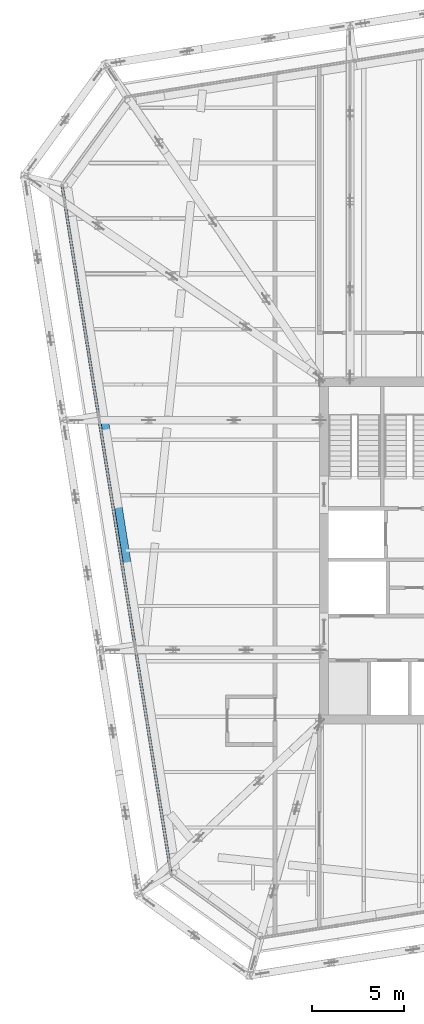
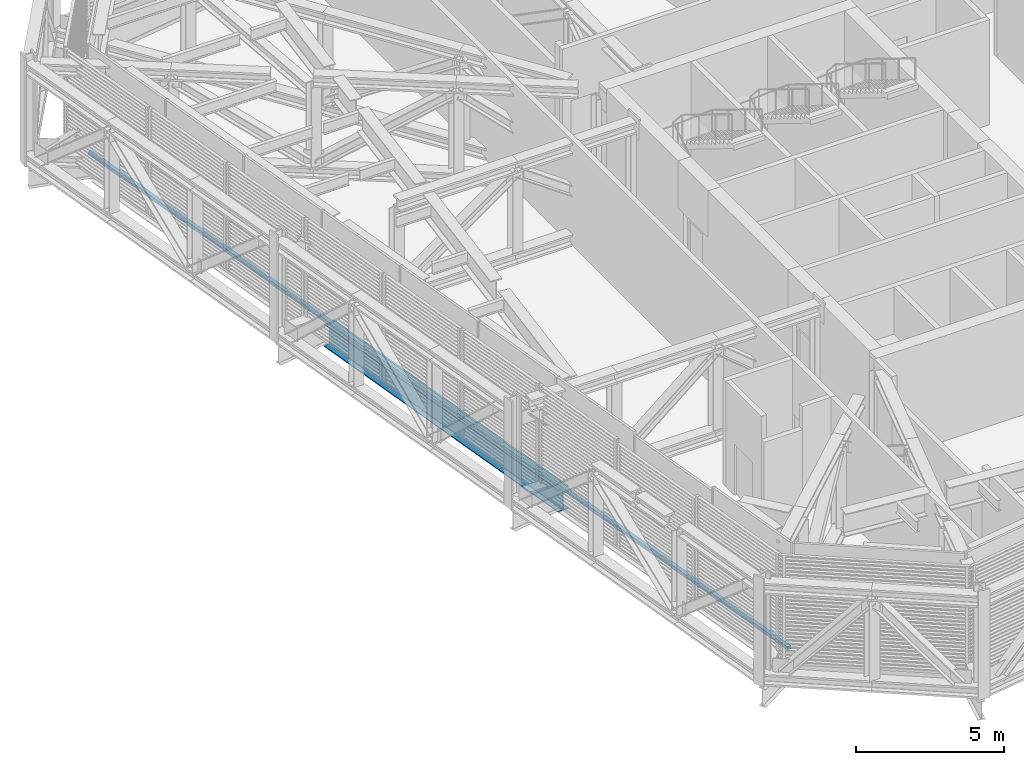
# One storey, part 6 of 32: 1 beam, 1 member, 1 element without a shape of its own.
"""IFC4 building model written with IfcOpenShell, lengths in metres."""

from ifc_helpers import new_model, si_unit, direction, frame, origin, origin_2d, place, context, subcontext, project, spatial, rectangle, i_section, extrude, material, layer, layer_set, material_profile, profile_set, type_object, element, aggregate, save


model = new_model("IFC4")

# Units and contexts
model_context = context("Model", 3, precision=1e-05, world=origin(), true_north=direction((0.0, 1.0)))
body_context = subcontext(model_context, "Body", "Model", "MODEL_VIEW")
ifc_project = project(units=[si_unit("LENGTHUNIT", "METRE"), si_unit("AREAUNIT", "SQUARE_METRE"), si_unit("VOLUMEUNIT", "CUBIC_METRE"), si_unit("PLANEANGLEUNIT", "RADIAN"), si_unit("MASSUNIT", "GRAM", prefix="KILO")], contexts=[model_context])

# Site, building, storey
site_placement = place(None, origin())
site = spatial("IfcSite", under=ifc_project, at=site_placement, CompositionType="ELEMENT")
building_placement = place(site_placement, origin())
building = spatial("IfcBuilding", under=site, at=building_placement, Name="Millrace Tower", CompositionType="ELEMENT")
storey_placement = place(building_placement, frame((0.0, 0.0, 266.89990234375)))
storey = spatial("IfcBuildingStorey", under=building, at=storey_placement, Name="L61", CompositionType="ELEMENT", Elevation=266.89990234375)

# Curtain wall, member
ifc_material_1 = material(Name="Aluminium and glass", Category="aluminium")
ifc_layer = layer(ifc_material_1, 0.14990234375)
ifc_layer_set = layer_set([ifc_layer], Name="Aluminium and glass")
curtain_wall_type = type_object("IfcCurtainWallType", Name="CW-5 truss and plant storey louvred infill", PredefinedType="NOTDEFINED", material=ifc_layer_set)
curtain_wall_placement = place(storey_placement, origin())
curtain_wall = element("IfcCurtainWall", 1, at=curtain_wall_placement, inside=storey, type_object=curtain_wall_type, Name="Curtain wall D-F08 L61", PredefinedType="NOTDEFINED")
ifc_material_2 = material(Name="Aluminium", Category="aluminium")
ifc_material_profile_1 = material_profile(ifc_material_2, rectangle(XDim=0.14990234375, YDim=0.139892578125, at=origin_2d()))
ifc_profile_set_1 = profile_set([ifc_material_profile_1], Name="Aluminium")
member_type = type_object("IfcMemberType", Name="CW-5 truss and plant storey louvred infill transom", PredefinedType="USERDEFINED", material=ifc_profile_set_1)
member_placement = place(storey_placement, frame((-28.331787109375, 19.708740234375, 0.070068359375), z_axis=(0.156432359726, -0.987688674042, 0.0), x_axis=(0.987688674042, 0.156432359726, 0.0)))
member = element("IfcMember", 2, at=member_placement, type_object=member_type, Name="CW5 transom D-F08.1", ObjectType="TRANSOM", PredefinedType="USERDEFINED", context=body_context, shape_type="SweptSolid", body=[
    extrude(rectangle(XDim=0.14990234375, YDim=0.139892578125, at=origin_2d()), origin(), (0.0, 0.0, 1.0), 37.599853515625),
])
aggregate(curtain_wall, [member])

# Beam
ifc_material_3 = material(Name="Steel ASTM A992 Grade 50", Category="steel")
ifc_material_profile_2 = material_profile(ifc_material_3, i_section(OverallWidth=0.421630859375, OverallDepth=0.937255859375, WebThickness=0.021240234375, FlangeThickness=0.03662109375, FilletRadius=0.024169921875, at=origin_2d()))
ifc_profile_set_2 = profile_set([ifc_material_profile_2], Name="Steel ASTM A992 Grade 50")
beam_type = type_object("IfcBeamType", Name="Ring beam medium span W36x262", PredefinedType="SPANDREL", material=ifc_profile_set_2)
beam_placement = place(storey_placement, frame((-24.123046875, -5.037353515625, -0.718505859375), z_axis=(-0.1564441342, 0.987686809102, 0.0), x_axis=(-0.987686809102, -0.1564441342, 0.0)))
element("IfcBeam", 3, at=beam_placement, inside=storey, type_object=beam_type, Name="RNG-D-L61-S1-02", PredefinedType="SPANDREL", context=body_context, shape_type="SweptSolid", body=[
    extrude(i_section(OverallWidth=0.421630859375, OverallDepth=0.937255859375, WebThickness=0.021240234375, FlangeThickness=0.03662109375, FilletRadius=0.024169921875, at=origin_2d()), origin(), (0.0, 0.0, 1.0), 12.599853515625),
])

save(model, "model.ifc")
